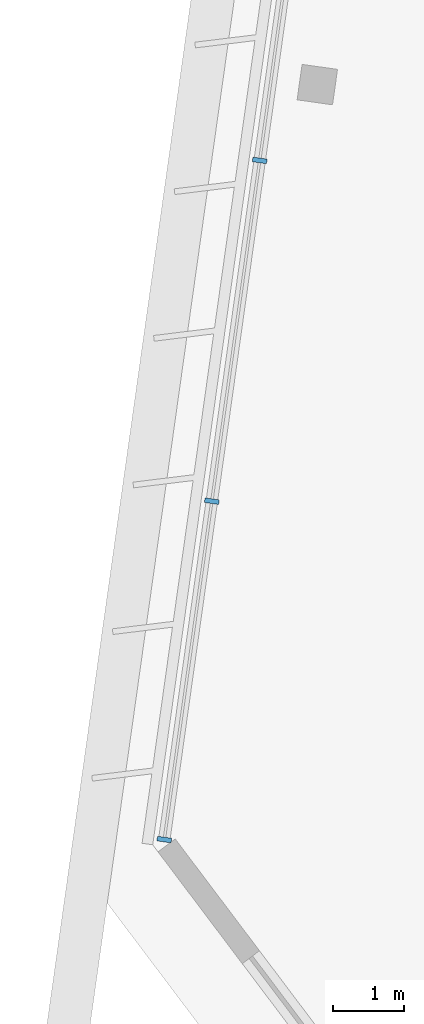
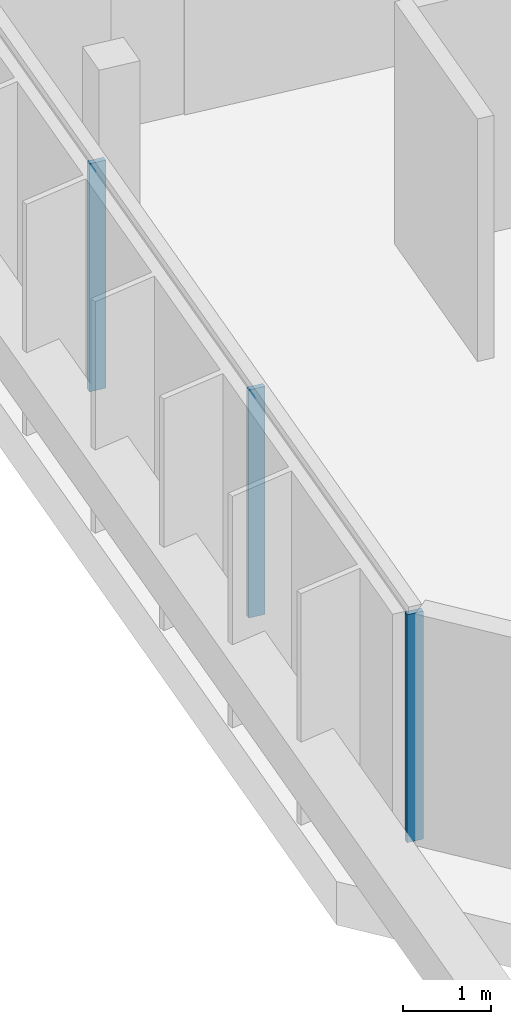
# One storey, part 2 of 25: 3 members, 1 element without a shape of its own.
"""IFC4 building model written with IfcOpenShell, lengths in metres."""

import ifcopenshell
import ifcopenshell.guid

model = None  # the IFC model being written
_history = None  # IfcOwnerHistory: only IFC2X3 demands one
_inside = {}  # id of a spatial element -> (the spatial element, [elements in it])
_under = {}  # id of a project, library or spatial element -> (it, [spatial elements below it])
_declared = {}  # id of a project -> (the project, [libraries it declares])
_typed = {}  # id of a type object -> (the type object, [elements of that type])
_made_of = {}  # id of a material, layer set ... -> (it, [elements and type objects made of it])


def new_model(schema):
    """Start an empty IFC model of exactly this schema.

    Asked for "IFC4X3", IfcOpenShell would pick the latest addendum, in which some entities
    have other attributes; the version numbers below select the first issue.
    IFC2X3 requires an IfcOwnerHistory on every rooted entity: one is made here for all.
    """
    global model, _history
    if schema == "IFC4X3":
        model = ifcopenshell.file(schema_version=(4, 3, 0, 0))
    else:
        model = ifcopenshell.file(schema=schema)
    _inside.clear()
    _under.clear()
    _declared.clear()
    _typed.clear()
    _made_of.clear()
    _history = None
    if model.schema == "IFC2X3":
        org = make("IfcOrganization", Name="unknown")
        user = make(
            "IfcPersonAndOrganization",
            ThePerson=make("IfcPerson", FamilyName="unknown"),
            TheOrganization=org,
        )
        app = make(
            "IfcApplication",
            ApplicationDeveloper=org,
            Version="unknown",
            ApplicationFullName="unknown",
            ApplicationIdentifier="unknown",
        )
        _history = make(
            "IfcOwnerHistory",
            OwningUser=user,
            OwningApplication=app,
            ChangeAction="ADDED",
            CreationDate=0,
        )
    return model


def make(cls, **values):
    """One entity of the class cls with the attributes given. An attribute that is None is left unset."""
    return model.create_entity(
        cls, **{name: value for name, value in values.items() if value is not None}
    )


def rooted(cls, **values):
    """An entity with a GlobalId (a new one), such as an element, a storey or a relation."""
    return make(cls, GlobalId=ifcopenshell.guid.new(), OwnerHistory=_history, **values)


def si_unit(unit_type, name, prefix=None):
    """IfcSIUnit, for example si_unit("LENGTHUNIT", "METRE", prefix="MILLI")."""
    return make("IfcSIUnit", UnitType=unit_type, Prefix=prefix, Name=name)


def assignment(units):
    """IfcUnitAssignment: the units of a project."""
    return None if units is None else make("IfcUnitAssignment", Units=units)


def point(xyz):
    """IfcCartesianPoint."""
    return None if xyz is None else make("IfcCartesianPoint", Coordinates=xyz)


def direction(xyz):
    """IfcDirection."""
    return None if xyz is None else make("IfcDirection", DirectionRatios=xyz)


def frame(location, z_axis=None, x_axis=None):
    """IfcAxis2Placement3D, a coordinate frame: its origin and axes. An axis left out is left unset."""
    return make(
        "IfcAxis2Placement3D",
        Location=point(location),
        Axis=direction(z_axis),
        RefDirection=direction(x_axis),
    )


def frame_2d(location, x_axis=None):
    """IfcAxis2Placement2D, a coordinate frame in the plane: its origin and x axis."""
    return make(
        "IfcAxis2Placement2D", Location=point(location), RefDirection=direction(x_axis)
    )


def origin():
    """The frame at (0, 0, 0) with its axes left unset."""
    return frame((0.0, 0.0, 0.0))


def origin_2d():
    """The frame at (0, 0) in the plane with its x axis left unset."""
    return frame_2d((0.0, 0.0))


def place(relative_to, where):
    """IfcLocalPlacement: puts the frame where relative to a parent placement (None: the world)."""
    return make(
        "IfcLocalPlacement", PlacementRelTo=relative_to, RelativePlacement=where
    )


def context(
    kind, dimensions, precision=None, world=None, true_north=None, identifier=None
):
    """IfcGeometricRepresentationContext, for example the 3D "Model" context."""
    return make(
        "IfcGeometricRepresentationContext",
        ContextIdentifier=identifier,
        ContextType=kind,
        CoordinateSpaceDimension=dimensions,
        Precision=precision,
        WorldCoordinateSystem=world,
        TrueNorth=true_north,
    )


def subcontext(parent, identifier, kind, view, scale=None):
    """IfcGeometricRepresentationSubContext, for example "Body" below "Model"."""
    return make(
        "IfcGeometricRepresentationSubContext",
        ContextIdentifier=identifier,
        ContextType=kind,
        ParentContext=parent,
        TargetScale=scale,
        TargetView=view,
    )


def project(units=None, contexts=None):
    """IfcProject with its units and contexts."""
    return rooted(
        "IfcProject",
        Name="project",
        RepresentationContexts=contexts,
        UnitsInContext=assignment(units),
    )


def spatial(cls, under=None, at=None, **own):
    """A site, building, storey or space (cls), placed at a placement, below another one or the project."""
    s = rooted(cls, ObjectPlacement=at, **own)
    if under is not None:
        _under.setdefault(under.id(), (under, []))[1].append(s)
    return s


def profile(cls, at=None, kind="AREA", **sizes):
    """A parametric profile (cls). Its sizes go by their IFC names, for example OverallWidth=200.0."""
    return make(cls, ProfileType=kind, Position=at, **sizes)


def rectangle(**sizes):
    """IfcRectangleProfileDef."""
    return profile("IfcRectangleProfileDef", **sizes)


def extrude(swept, where, along, depth):
    """IfcExtrudedAreaSolid: the profile swept, set in the frame where, extruded along a direction by depth."""
    return make(
        "IfcExtrudedAreaSolid",
        SweptArea=swept,
        Position=where,
        ExtrudedDirection=direction(along),
        Depth=depth,
    )


def shape(context_of_items, identifier, shape_type, items):
    """IfcShapeRepresentation: the items that make up one representation, for example the "Body"."""
    return make(
        "IfcShapeRepresentation",
        ContextOfItems=context_of_items,
        RepresentationIdentifier=identifier,
        RepresentationType=shape_type,
        Items=items,
    )


def material(Name=None, Category=None):
    """IfcMaterial."""
    return make("IfcMaterial", Name=Name, Category=Category)


def material_profile(
    of_material, cross_section, Name=None, Category=None, Priority=None
):
    """IfcMaterialProfile: a cross section and its material."""
    return make(
        "IfcMaterialProfile",
        Name=Name,
        Material=of_material,
        Profile=cross_section,
        Priority=Priority,
        Category=Category,
    )


def profile_set(profiles, Name=None, composite=None):
    """IfcMaterialProfileSet."""
    return make(
        "IfcMaterialProfileSet",
        Name=Name,
        MaterialProfiles=profiles,
        CompositeProfile=composite,
    )


def made_of(thing, what):
    """Note that an element or type object is made of a material, layer set ...; save() writes the relation."""
    if what is not None:
        _made_of.setdefault(what.id(), (what, []))[1].append(thing)
    return thing


def type_object(cls, material=None, **own):
    """A type object (cls), such as IfcWallType, which elements share."""
    return made_of(rooted(cls, **own), material)


def element(
    cls,
    number,
    at=None,
    inside=None,
    cuts=None,
    type_object=None,
    material=None,
    context=None,
    identifier="Body",
    shape_type=None,
    held_by="IfcProductDefinitionShape",
    body=None,
    shapes=None,
    **own,
):
    """One element of the class cls, such as IfcWall. Its Tag is "e" and its number.

    at: its placement. inside: the storey or other place that contains it. cuts: it is an
    opening in that element (IfcRelVoidsElement). A single representation is given by context,
    identifier, shape_type and body (its items); several are given by shapes. held_by: the class
    of the entity that holds the representations. save() writes the other relations.
    """
    e = rooted(cls, Tag="e%d" % number, ObjectPlacement=at, **own)
    if body is not None:
        shapes = [shape(context, identifier, shape_type, body)]
    if shapes is not None:
        e.Representation = make(held_by, Representations=shapes)
    if inside is not None:
        _inside.setdefault(inside.id(), (inside, []))[1].append(e)
    if cuts is not None:
        rooted(
            "IfcRelVoidsElement", RelatingBuildingElement=cuts, RelatedOpeningElement=e
        )
    if type_object is not None:
        _typed.setdefault(type_object.id(), (type_object, []))[1].append(e)
    return made_of(e, material)


def aggregate(whole, parts):
    """IfcRelAggregates: a whole, such as a stair, and the parts it consists of."""
    return rooted("IfcRelAggregates", RelatingObject=whole, RelatedObjects=parts)


def save(model, path):
    """Write the relations noted so far, then the file.

    IfcRelAggregates (storeys below a building ...), IfcRelContainedInSpatialStructure (elements
    in a storey), IfcRelDefinesByType, IfcRelAssociatesMaterial and IfcRelDeclares: one each for
    every whole, place, type object, material and project.
    """
    for whole, parts in _under.values():
        aggregate(whole, parts)
    for where, things in _inside.values():
        rooted(
            "IfcRelContainedInSpatialStructure",
            RelatedElements=things,
            RelatingStructure=where,
        )
    for kind, things in _typed.values():
        rooted("IfcRelDefinesByType", RelatedObjects=things, RelatingType=kind)
    for what, things in _made_of.values():
        rooted("IfcRelAssociatesMaterial", RelatedObjects=things, RelatingMaterial=what)
    for by, libraries in _declared.values():
        rooted("IfcRelDeclares", RelatingContext=by, RelatedDefinitions=libraries)
    model.write(path)


model = new_model("IFC4")

# Units and contexts
model_context = context("Model", 3, precision=1e-05, world=origin(), true_north=direction((0.0, 1.0)))
body_context = subcontext(model_context, "Body", "Model", "MODEL_VIEW")
ifc_project = project(units=[si_unit("LENGTHUNIT", "METRE"), si_unit("AREAUNIT", "SQUARE_METRE"), si_unit("VOLUMEUNIT", "CUBIC_METRE"), si_unit("PLANEANGLEUNIT", "RADIAN"), si_unit("MASSUNIT", "GRAM", prefix="KILO")], contexts=[model_context])

# Site, building, storey
site_placement = place(None, origin())
site = spatial("IfcSite", under=ifc_project, at=site_placement, CompositionType="ELEMENT")
building_placement = place(site_placement, origin())
building = spatial("IfcBuilding", under=site, at=building_placement, Name="Mirante Cascada Hotel Towers", CompositionType="ELEMENT")
storey_placement = place(building_placement, frame((0.0, 0.0, 247.0)))
storey = spatial("IfcBuildingStorey", under=building, at=storey_placement, Name="L59", CompositionType="ELEMENT", Elevation=247.0)

# Curtain wall, members
ifc_material_1 = material(Name="Aluminium mullion and transom frame with clear laminated glass", Category="aluminium")
curtain_wall_type = type_object("IfcCurtainWallType", Name="End ribbon curtain wall ECW2", PredefinedType="NOTDEFINED", material=ifc_material_1)
curtain_wall_placement = place(storey_placement, origin())
curtain_wall = element("IfcCurtainWall", 1, at=curtain_wall_placement, inside=storey, type_object=curtain_wall_type, Name="Outer end wall T1 L59", PredefinedType="NOTDEFINED")
ifc_material_2 = material(Name="Anodised aluminium extrusion", Category="aluminium")
ifc_material_profile = material_profile(ifc_material_2, rectangle(XDim=0.2, YDim=0.065, at=origin_2d()), Name="ECW2 MULLION 65x200")
ifc_profile_set = profile_set([ifc_material_profile], Name="Anodised aluminium extrusion")
member_type = type_object("IfcMemberType", Name="ECW2 mullion 65x200", PredefinedType="MULLION", material=ifc_profile_set)
member_1_placement = place(storey_placement, frame((-67.5059, -11.2758, 0.1), z_axis=(0.0, 0.0, 1.0), x_axis=(-0.9902681, 0.1391731, 0.0)))
member_1 = element("IfcMember", 2, at=member_1_placement, type_object=member_type, Name="ECW2 mullion 1", PredefinedType="MULLION", context=body_context, shape_type="SweptSolid", body=[
    extrude(rectangle(XDim=0.2, YDim=0.065, at=origin_2d()), origin(), (0.0, 0.0, 1.0), 3.15),
])
member_2_placement = place(storey_placement, frame((-66.8407, -6.5422, 0.1), z_axis=(0.0, 0.0, 1.0), x_axis=(-0.9902681, 0.1391731, 0.0)))
member_2 = element("IfcMember", 3, at=member_2_placement, type_object=member_type, Name="ECW2 mullion 2", PredefinedType="MULLION", context=body_context, shape_type="SweptSolid", body=[
    extrude(rectangle(XDim=0.2, YDim=0.065, at=origin_2d()), origin(), (0.0, 0.0, 1.0), 3.15),
])
member_3_placement = place(storey_placement, frame((-66.1709, -1.7764, 0.1), z_axis=(0.0, 0.0, 1.0), x_axis=(-0.9902681, 0.1391731, 0.0)))
member_3 = element("IfcMember", 4, at=member_3_placement, type_object=member_type, Name="ECW2 mullion 3", PredefinedType="MULLION", context=body_context, shape_type="SweptSolid", body=[
    extrude(rectangle(XDim=0.2, YDim=0.065, at=origin_2d()), origin(), (0.0, 0.0, 1.0), 3.15),
])
aggregate(curtain_wall, [member_1, member_2, member_3])

save(model, "model.ifc")
